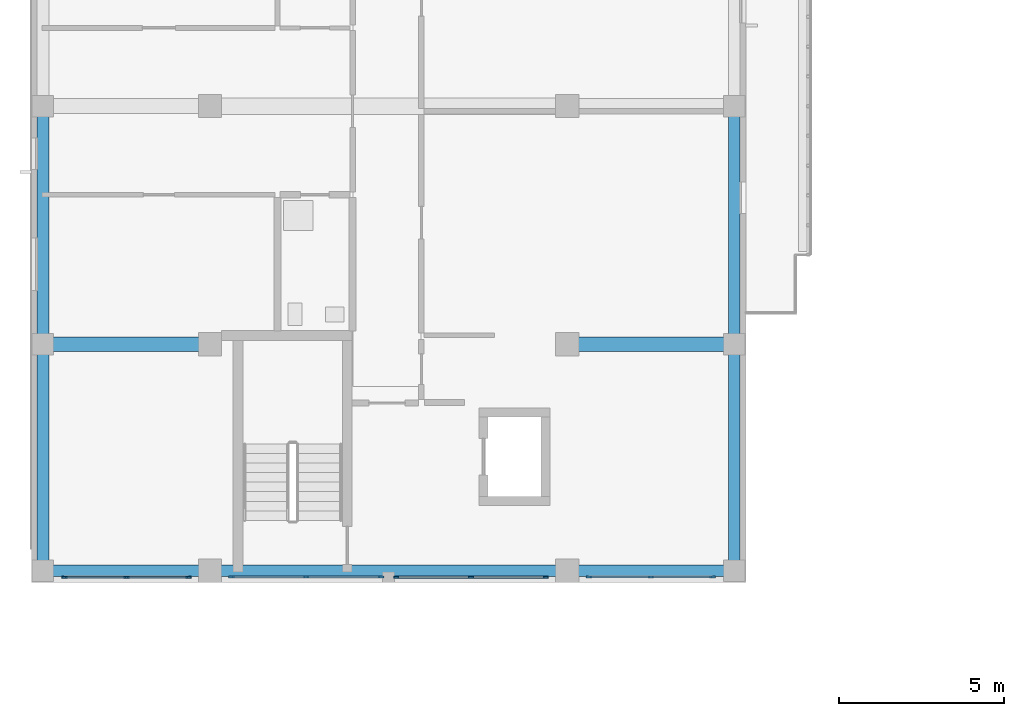
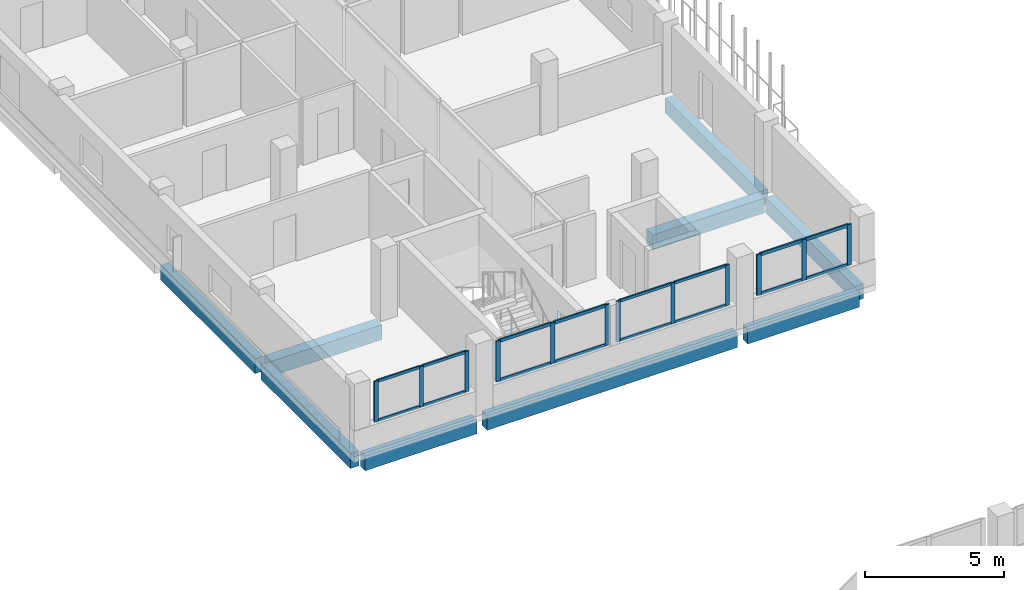
# One storey, part 9 of 56: 28 members, 9 beams, 4 elements without a shape of their own.
"""IFC4 building model written with IfcOpenShell, lengths in metres."""

from ifc_helpers import new_model, si_unit, derived_unit, direction, frame, origin, origin_2d, place, context, subcontext, project, spatial, rectangle, extrude, material, layer, layer_set, material_profile, profile_set, type_object, element, aggregate, save


model = new_model("IFC4")

# Units and contexts
model_context = context("Model", 3, precision=1e-05, world=origin(), true_north=direction((0.0, 1.0)))
body_context = subcontext(model_context, "Body", "Model", "MODEL_VIEW")
ifc_project = project(units=[si_unit("LENGTHUNIT", "METRE"), si_unit("AREAUNIT", "SQUARE_METRE"), si_unit("VOLUMEUNIT", "CUBIC_METRE"), si_unit("PLANEANGLEUNIT", "RADIAN"), si_unit("MASSUNIT", "GRAM", prefix="KILO"), derived_unit("THERMALTRANSMITTANCEUNIT", [(si_unit("MASSUNIT", "GRAM", prefix="KILO"), 1), (si_unit("TIMEUNIT", "SECOND"), -3), (si_unit("THERMODYNAMICTEMPERATUREUNIT", "KELVIN"), -1)])], contexts=[model_context])

# Site, building, storey
site_placement = place(None, origin())
site = spatial("IfcSite", under=ifc_project, at=site_placement, CompositionType="ELEMENT")
building_placement = place(site_placement, origin())
building = spatial("IfcBuilding", under=site, at=building_placement, Name="Ochrekiln Boulevard Commons", CompositionType="ELEMENT")
storey_placement = place(building_placement, frame((0.0, 0.0, 12.074951171875)))
storey = spatial("IfcBuildingStorey", under=building, at=storey_placement, Name="L03", CompositionType="ELEMENT", Elevation=12.074951171875)

# Beams
ifc_material_1 = material(Name="Concrete C35/45", Category="concrete")
ifc_material_profile_1 = material_profile(ifc_material_1, rectangle(XDim=0.449951171875, YDim=0.64990234375, at=origin_2d()), Name="RC-BM-450x650")
ifc_profile_set_1 = profile_set([ifc_material_profile_1], Name="Concrete C35/45")
beam_type_1 = type_object("IfcBeamType", Name="BM-RC-450x650", PredefinedType="BEAM", material=ifc_profile_set_1)
beam_1_placement = place(storey_placement, frame((0.56005859375, 75.60009765625, -0.5849609375), z_axis=(1.0, 0.0, 0.0), x_axis=(0.0, 1.0, 0.0)))
element("IfcBeam", 1, at=beam_1_placement, inside=storey, type_object=beam_type_1, Name="Block A L03 Beam B-4565 X4", PredefinedType="BEAM", context=body_context, shape_type="SweptSolid", body=[
    extrude(rectangle(XDim=0.449951171875, YDim=0.64990234375, at=origin_2d()), origin(), (0.0, 0.0, 1.0), 4.6298828125),
])
beam_2_placement = place(storey_placement, frame((16.409912109375, 75.60009765625, -0.5849609375), z_axis=(1.0, 0.0, 0.0), x_axis=(0.0, 1.0, 0.0)))
element("IfcBeam", 2, at=beam_2_placement, inside=storey, type_object=beam_type_1, Name="Block A L03 Beam B-4565 X5", PredefinedType="BEAM", context=body_context, shape_type="SweptSolid", body=[
    extrude(rectangle(XDim=0.449951171875, YDim=0.64990234375, at=origin_2d()), origin(), (0.0, 0.0, 1.0), 4.630126953125),
])

# Curtain wall, members
ifc_material_2 = material(Name="Bronze-anodized extruded aluminium 6063-T6", Category="aluminium")
ifc_layer = layer(ifc_material_2, 0.172119140625)
ifc_layer_set = layer_set([ifc_layer], Name="Bronze-anodized extruded aluminium 6063-T6")
curtain_wall_type = type_object("IfcCurtainWallType", Name="CW-GABLE-A", PredefinedType="USERDEFINED", material=ifc_layer_set)
curtain_wall_1_placement = place(storey_placement, origin())
curtain_wall_1 = element("IfcCurtainWall", 3, at=curtain_wall_1_placement, inside=storey, type_object=curtain_wall_type, Name="Block A L03 Courtyard Glazed Gable Curtain Wall 1", ObjectType="GLAZED CURTAIN WALL", PredefinedType="USERDEFINED")
ifc_material_profile_2 = material_profile(ifc_material_2, rectangle(XDim=0.06005859375, YDim=0.159912109375, at=origin_2d()), Name="ALU-MUL-60x160")
ifc_profile_set_2 = profile_set([ifc_material_profile_2], Name="Bronze-anodized extruded aluminium 6063-T6")
member_type_1 = type_object("IfcMemberType", Name="CWM-60x160", PredefinedType="MULLION", material=ifc_profile_set_2)
member_1_placement = place(storey_placement, frame((1.0, 68.56005859375, 1.110107421875), z_axis=(0.0, 0.0, 1.0), x_axis=(0.0, 1.0, 0.0)))
member_1 = element("IfcMember", 4, at=member_1_placement, type_object=member_type_1, Name="CW-01 mullion 1", PredefinedType="MULLION", context=body_context, shape_type="SweptSolid", body=[
    extrude(rectangle(XDim=0.06005859375, YDim=0.159912109375, at=origin_2d()), origin(), (0.0, 0.0, 1.0), 1.780029296875),
])
member_2_placement = place(storey_placement, frame((2.875, 68.56005859375, 1.110107421875), z_axis=(0.0, 0.0, 1.0), x_axis=(0.0, 1.0, 0.0)))
member_2 = element("IfcMember", 5, at=member_2_placement, type_object=member_type_1, Name="CW-01 mullion 2", PredefinedType="MULLION", context=body_context, shape_type="SweptSolid", body=[
    extrude(rectangle(XDim=0.06005859375, YDim=0.159912109375, at=origin_2d()), origin(), (0.0, 0.0, 1.0), 1.780029296875),
])
member_3_placement = place(storey_placement, frame((4.75, 68.56005859375, 1.110107421875), z_axis=(0.0, 0.0, 1.0), x_axis=(0.0, 1.0, 0.0)))
member_3 = element("IfcMember", 6, at=member_3_placement, type_object=member_type_1, Name="CW-01 mullion 3", PredefinedType="MULLION", context=body_context, shape_type="SweptSolid", body=[
    extrude(rectangle(XDim=0.06005859375, YDim=0.159912109375, at=origin_2d()), origin(), (0.0, 0.0, 1.0), 1.780029296875),
])

curtain_wall_2_placement = place(storey_placement, origin())
curtain_wall_2 = element("IfcCurtainWall", 7, at=curtain_wall_2_placement, inside=storey, type_object=curtain_wall_type, Name="Block A L03 Courtyard Glazed Gable Curtain Wall 3", ObjectType="GLAZED CURTAIN WALL", PredefinedType="USERDEFINED")
member_4_placement = place(storey_placement, frame((11.030029296875, 68.56005859375, 1.110107421875), z_axis=(0.0, 0.0, 1.0), x_axis=(0.0, 1.0, 0.0)))
member_4 = element("IfcMember", 8, at=member_4_placement, type_object=member_type_1, Name="CW-01 mullion 1", PredefinedType="MULLION", context=body_context, shape_type="SweptSolid", body=[
    extrude(rectangle(XDim=0.06005859375, YDim=0.159912109375, at=origin_2d()), origin(), (0.0, 0.0, 1.0), 1.780029296875),
])
member_5_placement = place(storey_placement, frame((13.2900390625, 68.56005859375, 1.110107421875), z_axis=(0.0, 0.0, 1.0), x_axis=(0.0, 1.0, 0.0)))
member_5 = element("IfcMember", 9, at=member_5_placement, type_object=member_type_1, Name="CW-01 mullion 2", PredefinedType="MULLION", context=body_context, shape_type="SweptSolid", body=[
    extrude(rectangle(XDim=0.06005859375, YDim=0.159912109375, at=origin_2d()), origin(), (0.0, 0.0, 1.0), 1.780029296875),
])
member_6_placement = place(storey_placement, frame((15.550048828125, 68.56005859375, 1.110107421875), z_axis=(0.0, 0.0, 1.0), x_axis=(0.0, 1.0, 0.0)))
member_6 = element("IfcMember", 10, at=member_6_placement, type_object=member_type_1, Name="CW-01 mullion 3", PredefinedType="MULLION", context=body_context, shape_type="SweptSolid", body=[
    extrude(rectangle(XDim=0.06005859375, YDim=0.159912109375, at=origin_2d()), origin(), (0.0, 0.0, 1.0), 1.780029296875),
])

curtain_wall_3_placement = place(storey_placement, origin())
curtain_wall_3 = element("IfcCurtainWall", 11, at=curtain_wall_3_placement, inside=storey, type_object=curtain_wall_type, Name="Block A L03 Courtyard Glazed Gable Curtain Wall 2", ObjectType="GLAZED CURTAIN WALL", PredefinedType="USERDEFINED")
ifc_material_profile_3 = material_profile(ifc_material_2, rectangle(XDim=0.06494140625, YDim=0.179931640625, at=origin_2d()), Name="ALU-MUL-65x180")
ifc_profile_set_3 = profile_set([ifc_material_profile_3], Name="Bronze-anodized extruded aluminium 6063-T6")
member_type_2 = type_object("IfcMemberType", Name="CWM-65x180", PredefinedType="MULLION", material=ifc_profile_set_3)
member_7_placement = place(storey_placement, frame((6.052490234375, 68.56005859375, 1.110107421875), z_axis=(0.0, 0.0, 1.0), x_axis=(0.0, 1.0, 0.0)))
member_7 = element("IfcMember", 12, at=member_7_placement, type_object=member_type_2, Name="CW-01 mullion 1", PredefinedType="MULLION", context=body_context, shape_type="SweptSolid", body=[
    extrude(rectangle(XDim=0.06494140625, YDim=0.179931640625, at=origin_2d()), origin(), (0.0, 0.0, 1.0), 1.780029296875),
])
member_8_placement = place(storey_placement, frame((8.31005859375, 68.56005859375, 1.110107421875), z_axis=(0.0, 0.0, 1.0), x_axis=(0.0, 1.0, 0.0)))
member_8 = element("IfcMember", 13, at=member_8_placement, type_object=member_type_2, Name="CW-01 mullion 2", PredefinedType="MULLION", context=body_context, shape_type="SweptSolid", body=[
    extrude(rectangle(XDim=0.06494140625, YDim=0.179931640625, at=origin_2d()), origin(), (0.0, 0.0, 1.0), 1.780029296875),
])
member_9_placement = place(storey_placement, frame((10.5673828125, 68.56005859375, 1.110107421875), z_axis=(0.0, 0.0, 1.0), x_axis=(0.0, 1.0, 0.0)))
member_9 = element("IfcMember", 14, at=member_9_placement, type_object=member_type_2, Name="CW-01 mullion 3", PredefinedType="MULLION", context=body_context, shape_type="SweptSolid", body=[
    extrude(rectangle(XDim=0.06494140625, YDim=0.179931640625, at=origin_2d()), origin(), (0.0, 0.0, 1.0), 1.780029296875),
])

curtain_wall_4_placement = place(storey_placement, origin())
curtain_wall_4 = element("IfcCurtainWall", 15, at=curtain_wall_4_placement, inside=storey, type_object=curtain_wall_type, Name="Block A L03 Courtyard Glazed Gable Curtain Wall 4", ObjectType="GLAZED CURTAIN WALL", PredefinedType="USERDEFINED")
member_10_placement = place(storey_placement, frame((16.8525390625, 68.56005859375, 1.110107421875), z_axis=(0.0, 0.0, 1.0), x_axis=(0.0, 1.0, 0.0)))
member_10 = element("IfcMember", 16, at=member_10_placement, type_object=member_type_2, Name="CW-01 mullion 1", PredefinedType="MULLION", context=body_context, shape_type="SweptSolid", body=[
    extrude(rectangle(XDim=0.06494140625, YDim=0.179931640625, at=origin_2d()), origin(), (0.0, 0.0, 1.0), 1.780029296875),
])
member_11_placement = place(storey_placement, frame((18.72509765625, 68.56005859375, 1.110107421875), z_axis=(0.0, 0.0, 1.0), x_axis=(0.0, 1.0, 0.0)))
member_11 = element("IfcMember", 17, at=member_11_placement, type_object=member_type_2, Name="CW-01 mullion 2", PredefinedType="MULLION", context=body_context, shape_type="SweptSolid", body=[
    extrude(rectangle(XDim=0.06494140625, YDim=0.179931640625, at=origin_2d()), origin(), (0.0, 0.0, 1.0), 1.780029296875),
])
member_12_placement = place(storey_placement, frame((20.597412109375, 68.56005859375, 1.110107421875), z_axis=(0.0, 0.0, 1.0), x_axis=(0.0, 1.0, 0.0)))
member_12 = element("IfcMember", 18, at=member_12_placement, type_object=member_type_2, Name="CW-01 mullion 3", PredefinedType="MULLION", context=body_context, shape_type="SweptSolid", body=[
    extrude(rectangle(XDim=0.06494140625, YDim=0.179931640625, at=origin_2d()), origin(), (0.0, 0.0, 1.0), 1.780029296875),
])

# Member
ifc_material_profile_4 = material_profile(ifc_material_2, rectangle(XDim=0.06005859375, YDim=0.1201171875, at=origin_2d()), Name="ALU-TRN-60x120")
ifc_profile_set_4 = profile_set([ifc_material_profile_4], Name="Bronze-anodized extruded aluminium 6063-T6")
member_type_3 = type_object("IfcMemberType", Name="CWT-60x120", PredefinedType="USERDEFINED", material=ifc_profile_set_4)
member_13_placement = place(storey_placement, frame((1.030029296875, 68.56005859375, 1.14013671875), z_axis=(1.0, 0.0, 0.0), x_axis=(0.0, 1.0, 0.0)))
member_13 = element("IfcMember", 19, at=member_13_placement, type_object=member_type_3, Name="CW-01 transom 1.1", ObjectType="TRANSOM", PredefinedType="USERDEFINED", context=body_context, shape_type="SweptSolid", body=[
    extrude(rectangle(XDim=0.06005859375, YDim=0.1201171875, at=origin_2d()), origin(), (0.0, 0.0, 1.0), 1.81494140625),
])

member_14_placement = place(storey_placement, frame((1.030029296875, 68.56005859375, 2.860107421875), z_axis=(1.0, 0.0, 0.0), x_axis=(0.0, 1.0, 0.0)))
member_14 = element("IfcMember", 20, at=member_14_placement, type_object=member_type_3, Name="CW-01 transom 1.2", ObjectType="TRANSOM", PredefinedType="USERDEFINED", context=body_context, shape_type="SweptSolid", body=[
    extrude(rectangle(XDim=0.06005859375, YDim=0.1201171875, at=origin_2d()), origin(), (0.0, 0.0, 1.0), 1.81494140625),
])

member_15_placement = place(storey_placement, frame((2.905029296875, 68.56005859375, 1.14013671875), z_axis=(1.0, 0.0, 0.0), x_axis=(0.0, 1.0, 0.0)))
member_15 = element("IfcMember", 21, at=member_15_placement, type_object=member_type_3, Name="CW-01 transom 2.1", ObjectType="TRANSOM", PredefinedType="USERDEFINED", context=body_context, shape_type="SweptSolid", body=[
    extrude(rectangle(XDim=0.06005859375, YDim=0.1201171875, at=origin_2d()), origin(), (0.0, 0.0, 1.0), 1.81494140625),
])

member_16_placement = place(storey_placement, frame((2.905029296875, 68.56005859375, 2.860107421875), z_axis=(1.0, 0.0, 0.0), x_axis=(0.0, 1.0, 0.0)))
member_16 = element("IfcMember", 22, at=member_16_placement, type_object=member_type_3, Name="CW-01 transom 2.2", ObjectType="TRANSOM", PredefinedType="USERDEFINED", context=body_context, shape_type="SweptSolid", body=[
    extrude(rectangle(XDim=0.06005859375, YDim=0.1201171875, at=origin_2d()), origin(), (0.0, 0.0, 1.0), 1.81494140625),
])

aggregate(curtain_wall_1, [member_1, member_2, member_3, member_13, member_14, member_15, member_16])

member_17_placement = place(storey_placement, frame((11.06005859375, 68.56005859375, 1.14013671875), z_axis=(1.0, 0.0, 0.0), x_axis=(0.0, 1.0, 0.0)))
member_17 = element("IfcMember", 23, at=member_17_placement, type_object=member_type_3, Name="CW-01 transom 1.1", ObjectType="TRANSOM", PredefinedType="USERDEFINED", context=body_context, shape_type="SweptSolid", body=[
    extrude(rectangle(XDim=0.06005859375, YDim=0.1201171875, at=origin_2d()), origin(), (0.0, 0.0, 1.0), 2.199951171875),
])

member_18_placement = place(storey_placement, frame((11.06005859375, 68.56005859375, 2.860107421875), z_axis=(1.0, 0.0, 0.0), x_axis=(0.0, 1.0, 0.0)))
member_18 = element("IfcMember", 24, at=member_18_placement, type_object=member_type_3, Name="CW-01 transom 1.2", ObjectType="TRANSOM", PredefinedType="USERDEFINED", context=body_context, shape_type="SweptSolid", body=[
    extrude(rectangle(XDim=0.06005859375, YDim=0.1201171875, at=origin_2d()), origin(), (0.0, 0.0, 1.0), 2.199951171875),
])

member_19_placement = place(storey_placement, frame((13.320068359375, 68.56005859375, 1.14013671875), z_axis=(1.0, 0.0, 0.0), x_axis=(0.0, 1.0, 0.0)))
member_19 = element("IfcMember", 25, at=member_19_placement, type_object=member_type_3, Name="CW-01 transom 2.1", ObjectType="TRANSOM", PredefinedType="USERDEFINED", context=body_context, shape_type="SweptSolid", body=[
    extrude(rectangle(XDim=0.06005859375, YDim=0.1201171875, at=origin_2d()), origin(), (0.0, 0.0, 1.0), 2.199951171875),
])

member_20_placement = place(storey_placement, frame((13.320068359375, 68.56005859375, 2.860107421875), z_axis=(1.0, 0.0, 0.0), x_axis=(0.0, 1.0, 0.0)))
member_20 = element("IfcMember", 26, at=member_20_placement, type_object=member_type_3, Name="CW-01 transom 2.2", ObjectType="TRANSOM", PredefinedType="USERDEFINED", context=body_context, shape_type="SweptSolid", body=[
    extrude(rectangle(XDim=0.06005859375, YDim=0.1201171875, at=origin_2d()), origin(), (0.0, 0.0, 1.0), 2.199951171875),
])

aggregate(curtain_wall_2, [member_4, member_5, member_6, member_17, member_18, member_19, member_20])

ifc_material_profile_5 = material_profile(ifc_material_2, rectangle(XDim=0.06494140625, YDim=0.139892578125, at=origin_2d()), Name="ALU-TRN-65x140")
ifc_profile_set_5 = profile_set([ifc_material_profile_5], Name="Bronze-anodized extruded aluminium 6063-T6")
member_type_4 = type_object("IfcMemberType", Name="CWT-65x140", PredefinedType="USERDEFINED", material=ifc_profile_set_5)
member_21_placement = place(storey_placement, frame((6.0849609375, 68.56005859375, 1.142578125), z_axis=(1.0, 0.0, 0.0), x_axis=(0.0, 1.0, 0.0)))
member_21 = element("IfcMember", 27, at=member_21_placement, type_object=member_type_4, Name="CW-01 transom 1.1", ObjectType="TRANSOM", PredefinedType="USERDEFINED", context=body_context, shape_type="SweptSolid", body=[
    extrude(rectangle(XDim=0.06494140625, YDim=0.139892578125, at=origin_2d()), origin(), (0.0, 0.0, 1.0), 2.192626953125),
])

member_22_placement = place(storey_placement, frame((6.0849609375, 68.56005859375, 2.857666015625), z_axis=(1.0, 0.0, 0.0), x_axis=(0.0, 1.0, 0.0)))
member_22 = element("IfcMember", 28, at=member_22_placement, type_object=member_type_4, Name="CW-01 transom 1.2", ObjectType="TRANSOM", PredefinedType="USERDEFINED", context=body_context, shape_type="SweptSolid", body=[
    extrude(rectangle(XDim=0.06494140625, YDim=0.139892578125, at=origin_2d()), origin(), (0.0, 0.0, 1.0), 2.192626953125),
])

member_23_placement = place(storey_placement, frame((8.342529296875, 68.56005859375, 1.142578125), z_axis=(1.0, 0.0, 0.0), x_axis=(0.0, 1.0, 0.0)))
member_23 = element("IfcMember", 29, at=member_23_placement, type_object=member_type_4, Name="CW-01 transom 2.1", ObjectType="TRANSOM", PredefinedType="USERDEFINED", context=body_context, shape_type="SweptSolid", body=[
    extrude(rectangle(XDim=0.06494140625, YDim=0.139892578125, at=origin_2d()), origin(), (0.0, 0.0, 1.0), 2.1923828125),
])

member_24_placement = place(storey_placement, frame((8.342529296875, 68.56005859375, 2.857666015625), z_axis=(1.0, 0.0, 0.0), x_axis=(0.0, 1.0, 0.0)))
member_24 = element("IfcMember", 30, at=member_24_placement, type_object=member_type_4, Name="CW-01 transom 2.2", ObjectType="TRANSOM", PredefinedType="USERDEFINED", context=body_context, shape_type="SweptSolid", body=[
    extrude(rectangle(XDim=0.06494140625, YDim=0.139892578125, at=origin_2d()), origin(), (0.0, 0.0, 1.0), 2.1923828125),
])

aggregate(curtain_wall_3, [member_7, member_8, member_9, member_21, member_22, member_23, member_24])

member_25_placement = place(storey_placement, frame((16.885009765625, 68.56005859375, 1.142578125), z_axis=(1.0, 0.0, 0.0), x_axis=(0.0, 1.0, 0.0)))
member_25 = element("IfcMember", 31, at=member_25_placement, type_object=member_type_4, Name="CW-01 transom 1.1", ObjectType="TRANSOM", PredefinedType="USERDEFINED", context=body_context, shape_type="SweptSolid", body=[
    extrude(rectangle(XDim=0.06494140625, YDim=0.139892578125, at=origin_2d()), origin(), (0.0, 0.0, 1.0), 1.807373046875),
])

member_26_placement = place(storey_placement, frame((16.885009765625, 68.56005859375, 2.857666015625), z_axis=(1.0, 0.0, 0.0), x_axis=(0.0, 1.0, 0.0)))
member_26 = element("IfcMember", 32, at=member_26_placement, type_object=member_type_4, Name="CW-01 transom 1.2", ObjectType="TRANSOM", PredefinedType="USERDEFINED", context=body_context, shape_type="SweptSolid", body=[
    extrude(rectangle(XDim=0.06494140625, YDim=0.139892578125, at=origin_2d()), origin(), (0.0, 0.0, 1.0), 1.807373046875),
])

member_27_placement = place(storey_placement, frame((18.757568359375, 68.56005859375, 1.142578125), z_axis=(1.0, 0.0, 0.0), x_axis=(0.0, 1.0, 0.0)))
member_27 = element("IfcMember", 33, at=member_27_placement, type_object=member_type_4, Name="CW-01 transom 2.1", ObjectType="TRANSOM", PredefinedType="USERDEFINED", context=body_context, shape_type="SweptSolid", body=[
    extrude(rectangle(XDim=0.06494140625, YDim=0.139892578125, at=origin_2d()), origin(), (0.0, 0.0, 1.0), 1.807373046875),
])

member_28_placement = place(storey_placement, frame((18.757568359375, 68.56005859375, 2.857666015625), z_axis=(1.0, 0.0, 0.0), x_axis=(0.0, 1.0, 0.0)))
member_28 = element("IfcMember", 34, at=member_28_placement, type_object=member_type_4, Name="CW-01 transom 2.2", ObjectType="TRANSOM", PredefinedType="USERDEFINED", context=body_context, shape_type="SweptSolid", body=[
    extrude(rectangle(XDim=0.06494140625, YDim=0.139892578125, at=origin_2d()), origin(), (0.0, 0.0, 1.0), 1.807373046875),
])

aggregate(curtain_wall_4, [member_10, member_11, member_12, member_25, member_26, member_27, member_28])

# Beams
ifc_material_3 = material(Name="Concrete C40/50", Category="concrete")
ifc_material_profile_6 = material_profile(ifc_material_3, rectangle(XDim=0.35009765625, YDim=0.64990234375, at=origin_2d()), Name="RC-SPN-350x650")
ifc_profile_set_6 = profile_set([ifc_material_profile_6], Name="Concrete C40/50")
beam_type_2 = type_object("IfcBeamType", Name="SPN-RC-350x650", PredefinedType="SPANDREL", material=ifc_profile_set_6)
beam_3_placement = place(storey_placement, frame((0.56005859375, 68.75, -0.5849609375), z_axis=(1.0, 0.0, 0.0), x_axis=(0.0, 1.0, 0.0)))
element("IfcBeam", 35, at=beam_3_placement, inside=storey, type_object=beam_type_2, Name="Block A L03 Beam SP-3565 X1", PredefinedType="SPANDREL", context=body_context, shape_type="SweptSolid", body=[
    extrude(rectangle(XDim=0.35009765625, YDim=0.64990234375, at=origin_2d()), origin(), (0.0, 0.0, 1.0), 4.6298828125),
])
beam_4_placement = place(storey_placement, frame((5.610107421875, 68.75, -0.5849609375), z_axis=(1.0, 0.0, 0.0), x_axis=(0.0, 1.0, 0.0)))
element("IfcBeam", 36, at=beam_4_placement, inside=storey, type_object=beam_type_2, Name="Block A L03 Beam SP-3565 X2", PredefinedType="SPANDREL", context=body_context, shape_type="SweptSolid", body=[
    extrude(rectangle(XDim=0.35009765625, YDim=0.64990234375, at=origin_2d()), origin(), (0.0, 0.0, 1.0), 10.3798828125),
])
beam_5_placement = place(storey_placement, frame((16.409912109375, 68.75, -0.5849609375), z_axis=(1.0, 0.0, 0.0), x_axis=(0.0, 1.0, 0.0)))
element("IfcBeam", 37, at=beam_5_placement, inside=storey, type_object=beam_type_2, Name="Block A L03 Beam SP-3565 X3", PredefinedType="SPANDREL", context=body_context, shape_type="SweptSolid", body=[
    extrude(rectangle(XDim=0.35009765625, YDim=0.64990234375, at=origin_2d()), origin(), (0.0, 0.0, 1.0), 4.630126953125),
])
beam_6_placement = place(storey_placement, frame((0.35009765625, 68.9599609375, -0.5849609375), z_axis=(0.0, 1.0, 0.0), x_axis=(-1.0, 0.0, 0.0)))
element("IfcBeam", 38, at=beam_6_placement, inside=storey, type_object=beam_type_2, Name="Block A L03 Beam SP-3565 Y23", PredefinedType="SPANDREL", context=body_context, shape_type="SweptSolid", body=[
    extrude(rectangle(XDim=0.35009765625, YDim=0.64990234375, at=origin_2d()), origin(), (0.0, 0.0, 1.0), 6.429931640625),
])
beam_7_placement = place(storey_placement, frame((0.35009765625, 75.81005859375, -0.5849609375), z_axis=(0.0, 1.0, 0.0), x_axis=(-1.0, 0.0, 0.0)))
element("IfcBeam", 39, at=beam_7_placement, inside=storey, type_object=beam_type_2, Name="Block A L03 Beam SP-3565 Y24", PredefinedType="SPANDREL", context=body_context, shape_type="SweptSolid", body=[
    extrude(rectangle(XDim=0.35009765625, YDim=0.64990234375, at=origin_2d()), origin(), (0.0, 0.0, 1.0), 6.780029296875),
])
beam_8_placement = place(storey_placement, frame((21.25, 68.9599609375, -0.5849609375), z_axis=(0.0, 1.0, 0.0), x_axis=(-1.0, 0.0, 0.0)))
element("IfcBeam", 40, at=beam_8_placement, inside=storey, type_object=beam_type_2, Name="Block A L03 Beam SP-3565 Y30", PredefinedType="SPANDREL", context=body_context, shape_type="SweptSolid", body=[
    extrude(rectangle(XDim=0.35009765625, YDim=0.64990234375, at=origin_2d()), origin(), (0.0, 0.0, 1.0), 6.429931640625),
])
beam_9_placement = place(storey_placement, frame((21.25, 75.81005859375, -0.5849609375), z_axis=(0.0, 1.0, 0.0), x_axis=(-1.0, 0.0, 0.0)))
element("IfcBeam", 41, at=beam_9_placement, inside=storey, type_object=beam_type_2, Name="Block A L03 Beam SP-3565 Y31", PredefinedType="SPANDREL", context=body_context, shape_type="SweptSolid", body=[
    extrude(rectangle(XDim=0.35009765625, YDim=0.64990234375, at=origin_2d()), origin(), (0.0, 0.0, 1.0), 6.780029296875),
])

save(model, "model.ifc")
